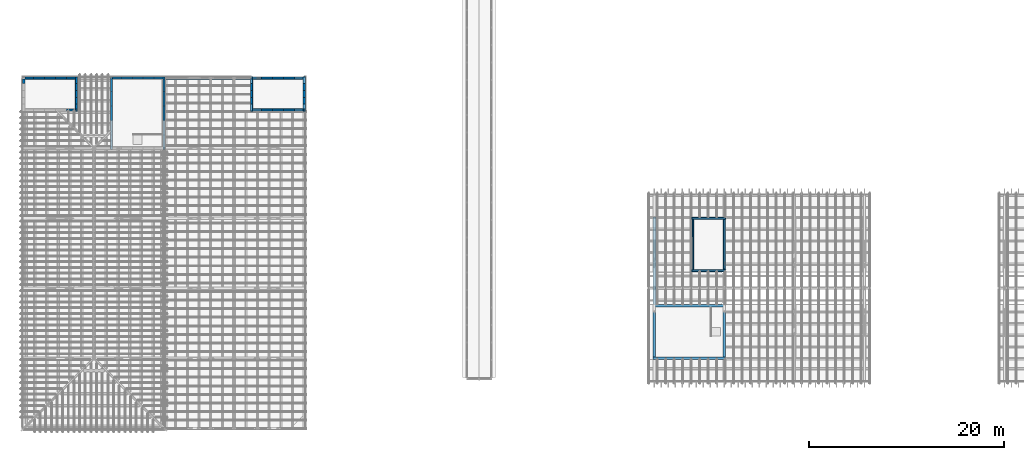
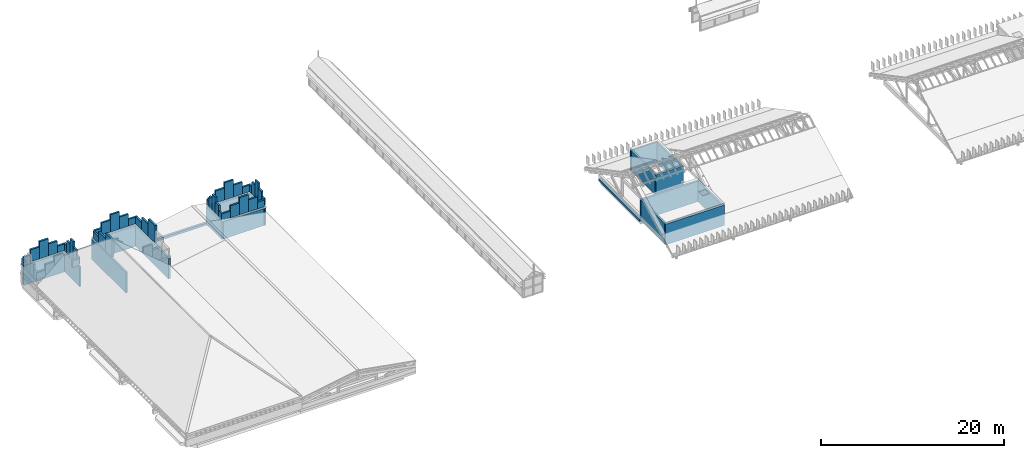
# One storey, part 17 of 28: 62 walls.
"""IFC4 building model written with IfcOpenShell, lengths in metres."""

from ifc_helpers import new_model, si_unit, direction, frame, frame_2d, origin, place, context, subcontext, project, spatial, rectangle, extrude, material, layer, layer_set, type_object, element, save


model = new_model("IFC4")

# Units and contexts
model_context = context("Model", 3, precision=1e-05, world=origin(), true_north=direction((0.0, 1.0)))
body_context = subcontext(model_context, "Body", "Model", "MODEL_VIEW")
ifc_project = project(units=[si_unit("LENGTHUNIT", "METRE"), si_unit("AREAUNIT", "SQUARE_METRE"), si_unit("VOLUMEUNIT", "CUBIC_METRE"), si_unit("PLANEANGLEUNIT", "RADIAN"), si_unit("MASSUNIT", "GRAM", prefix="KILO")], contexts=[model_context])

# Site, building, storey
site_placement = place(None, origin())
site = spatial("IfcSite", under=ifc_project, at=site_placement, CompositionType="ELEMENT")
building_placement = place(site_placement, origin())
building = spatial("IfcBuilding", under=site, at=building_placement, Name="Mazhai Court Health Centre", CompositionType="ELEMENT")
storey_placement = place(building_placement, frame((0.0, 0.0, 18.0)))
storey = spatial("IfcBuildingStorey", under=building, at=storey_placement, Name="RF", CompositionType="ELEMENT", Elevation=18.0)

# Walls
ifc_material_1 = material(Name="Clay brick masonry", Category="masonry")
ifc_layer_1 = layer(ifc_material_1, 0.22998046875)
ifc_layer_set_1 = layer_set([ifc_layer_1], Name="BRICK PARAPET 230 EI 120")
wall_type_1 = type_object("IfcWallType", Name="BRICK PARAPET 230 EI 120", PredefinedType="SOLIDWALL", material=ifc_layer_set_1)
wall_1_placement = place(storey_placement, frame((15.18994140625, 37.85498046875, 3.0), z_axis=(0.0, 0.0, 1.0), x_axis=(0.0, 1.0, 0.0)))
element("IfcWall", 1, at=wall_1_placement, inside=storey, type_object=wall_type_1, Name="PR-core-C3-head-house-slab-02", PredefinedType="SOLIDWALL", context=body_context, shape_type="SweptSolid", body=[
    extrude(rectangle(XDim=1.489990234375, YDim=0.22998046875, at=frame_2d((0.7451171875, 0.0))), origin(), (0.0, 0.0, 1.0), 2.300048828125),
])
wall_2_placement = place(storey_placement, frame((15.18994140625, 39.344970703125, 3.0), z_axis=(0.0, 0.0, 1.0), x_axis=(0.0, 1.0, 0.0)))
element("IfcWall", 2, at=wall_2_placement, inside=storey, type_object=wall_type_1, Name="PR-core-C3-head-house-slab-03", PredefinedType="SOLIDWALL", context=body_context, shape_type="SweptSolid", body=[
    extrude(rectangle(XDim=1.489990234375, YDim=0.22998046875, at=frame_2d((0.7451171875, 0.0))), origin(), (0.0, 0.0, 1.0), 1.60009765625),
])
wall_3_placement = place(storey_placement, frame((15.18994140625, 40.8349609375, 3.0), z_axis=(0.0, 0.0, 1.0), x_axis=(0.0, 1.0, 0.0)))
element("IfcWall", 3, at=wall_3_placement, inside=storey, type_object=wall_type_1, Name="PR-core-C3-head-house-slab-04", PredefinedType="SOLIDWALL", context=body_context, shape_type="SweptSolid", body=[
    extrude(rectangle(XDim=1.260009765625, YDim=0.22998046875, at=frame_2d((0.6298828125, 0.0))), origin(), (0.0, 0.0, 1.0), 0.89990234375),
])
wall_4_placement = place(storey_placement, frame((15.304931640625, 42.2099609375, 3.0), z_axis=(0.0, 0.0, 1.0), x_axis=(1.0, 0.0, 0.0)))
element("IfcWall", 4, at=wall_4_placement, inside=storey, type_object=wall_type_1, Name="PR-core-C3-head-house-slab-10", PredefinedType="SOLIDWALL", context=body_context, shape_type="SweptSolid", body=[
    extrude(rectangle(XDim=0.900146484375, YDim=0.22998046875, at=frame_2d((0.4501953125, 0.0))), origin(), (0.0, 0.0, 1.0), 0.89990234375),
])
wall_5_placement = place(storey_placement, frame((16.205078125, 42.2099609375, 3.0), z_axis=(0.0, 0.0, 1.0), x_axis=(1.0, 0.0, 0.0)))
element("IfcWall", 5, at=wall_5_placement, inside=storey, type_object=wall_type_1, Name="PR-core-C3-head-house-slab-11", PredefinedType="SOLIDWALL", context=body_context, shape_type="SweptSolid", body=[
    extrude(rectangle(XDim=1.1298828125, YDim=0.22998046875, at=frame_2d((0.56494140625, 0.0))), origin(), (0.0, 0.0, 1.0), 1.60009765625),
])
wall_6_placement = place(storey_placement, frame((17.3349609375, 42.2099609375, 3.0), z_axis=(0.0, 0.0, 1.0), x_axis=(1.0, 0.0, 0.0)))
element("IfcWall", 6, at=wall_6_placement, inside=storey, type_object=wall_type_1, Name="PR-core-C3-head-house-slab-12", PredefinedType="SOLIDWALL", context=body_context, shape_type="SweptSolid", body=[
    extrude(rectangle(XDim=1.130126953125, YDim=0.22998046875, at=frame_2d((0.56494140625, 0.0))), origin(), (0.0, 0.0, 1.0), 2.300048828125),
])
wall_7_placement = place(storey_placement, frame((18.465087890625, 42.2099609375, 3.0), z_axis=(0.0, 0.0, 1.0), x_axis=(1.0, 0.0, 0.0)))
element("IfcWall", 7, at=wall_7_placement, inside=storey, type_object=wall_type_1, Name="PR-core-C3-head-house-slab-13", PredefinedType="SOLIDWALL", context=body_context, shape_type="SweptSolid", body=[
    extrude(rectangle(XDim=1.1298828125, YDim=0.22998046875, at=frame_2d((0.56494140625, 0.0))), origin(), (0.0, 0.0, 1.0), 1.60009765625),
])
wall_8_placement = place(storey_placement, frame((19.594970703125, 42.2099609375, 3.0), z_axis=(0.0, 0.0, 1.0), x_axis=(1.0, 0.0, 0.0)))
element("IfcWall", 8, at=wall_8_placement, inside=storey, type_object=wall_type_1, Name="PR-core-C3-head-house-slab-14", PredefinedType="SOLIDWALL", context=body_context, shape_type="SweptSolid", body=[
    extrude(rectangle(XDim=1.130126953125, YDim=0.22998046875, at=frame_2d((0.56494140625, 0.0))), origin(), (0.0, 0.0, 1.0), 0.89990234375),
])
wall_9_placement = place(storey_placement, frame((20.610107421875, 42.324951171875, 3.0), z_axis=(0.0, 0.0, 1.0), x_axis=(0.0, -1.0, 0.0)))
element("IfcWall", 9, at=wall_9_placement, inside=storey, type_object=wall_type_1, Name="PR-core-C3-head-house-slab-20", PredefinedType="SOLIDWALL", context=body_context, shape_type="SweptSolid", body=[
    extrude(rectangle(XDim=1.489990234375, YDim=0.22998046875, at=frame_2d((0.7451171875, 0.0))), origin(), (0.0, 0.0, 1.0), 0.89990234375),
])
wall_10_placement = place(storey_placement, frame((20.610107421875, 40.8349609375, 3.0), z_axis=(0.0, 0.0, 1.0), x_axis=(0.0, -1.0, 0.0)))
element("IfcWall", 10, at=wall_10_placement, inside=storey, type_object=wall_type_1, Name="PR-core-C3-head-house-slab-21", PredefinedType="SOLIDWALL", context=body_context, shape_type="SweptSolid", body=[
    extrude(rectangle(XDim=1.489990234375, YDim=0.22998046875, at=frame_2d((0.7451171875, 0.0))), origin(), (0.0, 0.0, 1.0), 1.60009765625),
])
wall_11_placement = place(storey_placement, frame((20.610107421875, 39.344970703125, 3.0), z_axis=(0.0, 0.0, 1.0), x_axis=(0.0, -1.0, 0.0)))
element("IfcWall", 11, at=wall_11_placement, inside=storey, type_object=wall_type_1, Name="PR-core-C3-head-house-slab-22", PredefinedType="SOLIDWALL", context=body_context, shape_type="SweptSolid", body=[
    extrude(rectangle(XDim=1.489990234375, YDim=0.22998046875, at=frame_2d((0.7451171875, 0.0))), origin(), (0.0, 0.0, 1.0), 2.300048828125),
])
wall_12_placement = place(storey_placement, frame((6.18994140625, 41.6220703125, 2.56298828125), z_axis=(0.0, 0.0, 1.0), x_axis=(0.0, 1.0, 0.0)))
element("IfcWall", 12, at=wall_12_placement, inside=storey, type_object=wall_type_1, Name="PR-core-C3-overrun-slab-04", PredefinedType="SOLIDWALL", context=body_context, shape_type="SweptSolid", body=[
    extrude(rectangle(XDim=0.472900390625, YDim=0.22998046875, at=frame_2d((0.236328125, 0.0))), origin(), (0.0, 0.0, 1.0), 0.89990234375),
])
wall_13_placement = place(storey_placement, frame((6.304931640625, 42.2099609375, 2.56298828125), z_axis=(0.0, 0.0, 1.0), x_axis=(1.0, 0.0, 0.0)))
element("IfcWall", 13, at=wall_13_placement, inside=storey, type_object=wall_type_1, Name="PR-core-C3-overrun-slab-10", PredefinedType="SOLIDWALL", context=body_context, shape_type="SweptSolid", body=[
    extrude(rectangle(XDim=0.900146484375, YDim=0.22998046875, at=frame_2d((0.4501953125, 0.0))), origin(), (0.0, 0.0, 1.0), 0.89990234375),
])
wall_14_placement = place(storey_placement, frame((7.205078125, 42.2099609375, 2.56298828125), z_axis=(0.0, 0.0, 1.0), x_axis=(1.0, 0.0, 0.0)))
element("IfcWall", 14, at=wall_14_placement, inside=storey, type_object=wall_type_1, Name="PR-core-C3-overrun-slab-11", PredefinedType="SOLIDWALL", context=body_context, shape_type="SweptSolid", body=[
    extrude(rectangle(XDim=1.1298828125, YDim=0.22998046875, at=frame_2d((0.56494140625, 0.0))), origin(), (0.0, 0.0, 1.0), 1.60009765625),
])
wall_15_placement = place(storey_placement, frame((8.3349609375, 42.2099609375, 2.56298828125), z_axis=(0.0, 0.0, 1.0), x_axis=(1.0, 0.0, 0.0)))
element("IfcWall", 15, at=wall_15_placement, inside=storey, type_object=wall_type_1, Name="PR-core-C3-overrun-slab-12", PredefinedType="SOLIDWALL", context=body_context, shape_type="SweptSolid", body=[
    extrude(rectangle(XDim=1.130126953125, YDim=0.22998046875, at=frame_2d((0.56494140625, 0.0))), origin(), (0.0, 0.0, 1.0), 2.300048828125),
])
wall_16_placement = place(storey_placement, frame((9.465087890625, 42.2099609375, 2.56298828125), z_axis=(0.0, 0.0, 1.0), x_axis=(1.0, 0.0, 0.0)))
element("IfcWall", 16, at=wall_16_placement, inside=storey, type_object=wall_type_1, Name="PR-core-C3-overrun-slab-13", PredefinedType="SOLIDWALL", context=body_context, shape_type="SweptSolid", body=[
    extrude(rectangle(XDim=1.1298828125, YDim=0.22998046875, at=frame_2d((0.56494140625, 0.0))), origin(), (0.0, 0.0, 1.0), 1.60009765625),
])
wall_17_placement = place(storey_placement, frame((10.594970703125, 42.2099609375, 2.56298828125), z_axis=(0.0, 0.0, 1.0), x_axis=(1.0, 0.0, 0.0)))
element("IfcWall", 17, at=wall_17_placement, inside=storey, type_object=wall_type_1, Name="PR-core-C3-overrun-slab-14", PredefinedType="SOLIDWALL", context=body_context, shape_type="SweptSolid", body=[
    extrude(rectangle(XDim=1.130126953125, YDim=0.22998046875, at=frame_2d((0.56494140625, 0.0))), origin(), (0.0, 0.0, 1.0), 0.89990234375),
])
wall_18_placement = place(storey_placement, frame((11.610107421875, 42.324951171875, 2.56298828125), z_axis=(0.0, 0.0, 1.0), x_axis=(0.0, -1.0, 0.0)))
element("IfcWall", 18, at=wall_18_placement, inside=storey, type_object=wall_type_1, Name="PR-core-C3-overrun-slab-20", PredefinedType="SOLIDWALL", context=body_context, shape_type="SweptSolid", body=[
    extrude(rectangle(XDim=0.702880859375, YDim=0.22998046875, at=frame_2d((0.3515625, 0.0))), origin(), (0.0, 0.0, 1.0), 0.89990234375),
])
wall_19_placement = place(storey_placement, frame((11.610107421875, 41.6220703125, 2.56298828125), z_axis=(0.0, 0.0, 1.0), x_axis=(0.0, -1.0, 0.0)))
element("IfcWall", 19, at=wall_19_placement, inside=storey, type_object=wall_type_1, Name="PR-core-C3-overrun-slab-21", PredefinedType="SOLIDWALL", context=body_context, shape_type="SweptSolid", body=[
    extrude(rectangle(XDim=0.703125, YDim=0.22998046875, at=frame_2d((0.3515625, 0.0))), origin(), (0.0, 0.0, 1.0), 1.60009765625),
])
wall_20_placement = place(storey_placement, frame((11.610107421875, 40.9189453125, 2.56298828125), z_axis=(0.0, 0.0, 1.0), x_axis=(0.0, -1.0, 0.0)))
element("IfcWall", 20, at=wall_20_placement, inside=storey, type_object=wall_type_1, Name="PR-core-C3-overrun-slab-22", PredefinedType="SOLIDWALL", context=body_context, shape_type="SweptSolid", body=[
    extrude(rectangle(XDim=0.702880859375, YDim=0.22998046875, at=frame_2d((0.3515625, 0.0))), origin(), (0.0, 0.0, 1.0), 2.300048828125),
])
wall_21_placement = place(storey_placement, frame((11.610107421875, 40.216064453125, 2.56298828125), z_axis=(0.0, 0.0, 1.0), x_axis=(0.0, -1.0, 0.0)))
element("IfcWall", 21, at=wall_21_placement, inside=storey, type_object=wall_type_1, Name="PR-core-C3-overrun-slab-23", PredefinedType="SOLIDWALL", context=body_context, shape_type="SweptSolid", body=[
    extrude(rectangle(XDim=0.703125, YDim=0.22998046875, at=frame_2d((0.3515625, 0.0))), origin(), (0.0, 0.0, 1.0), 1.60009765625),
])
wall_22_placement = place(storey_placement, frame((11.610107421875, 39.512939453125, 2.56298828125), z_axis=(0.0, 0.0, 1.0), x_axis=(0.0, -1.0, 0.0)))
element("IfcWall", 22, at=wall_22_placement, inside=storey, type_object=wall_type_1, Name="PR-core-C3-overrun-slab-24", PredefinedType="SOLIDWALL", context=body_context, shape_type="SweptSolid", body=[
    extrude(rectangle(XDim=0.472900390625, YDim=0.22998046875, at=frame_2d((0.236328125, 0.0))), origin(), (0.0, 0.0, 1.0), 0.89990234375),
])
wall_23_placement = place(storey_placement, frame((11.4951171875, 38.925048828125, 2.56298828125), z_axis=(0.0, 0.0, 1.0), x_axis=(-1.0, 0.0, 0.0)))
element("IfcWall", 23, at=wall_23_placement, inside=storey, type_object=wall_type_1, Name="PR-core-C3-overrun-slab-30", PredefinedType="SOLIDWALL", context=body_context, shape_type="SweptSolid", body=[
    extrude(rectangle(XDim=0.900146484375, YDim=0.22998046875, at=frame_2d((0.4501953125, 0.0))), origin(), (0.0, 0.0, 1.0), 0.89990234375),
])
wall_24_placement = place(storey_placement, frame((29.590087890625, 38.81005859375, 2.241943359375), z_axis=(0.0, 0.0, 1.0), x_axis=(0.0, 1.0, 0.0)))
element("IfcWall", 24, at=wall_24_placement, inside=storey, type_object=wall_type_1, Name="PR-core-C5-overrun-slab-00", PredefinedType="SOLIDWALL", context=body_context, shape_type="SweptSolid", body=[
    extrude(rectangle(XDim=0.702880859375, YDim=0.22998046875, at=frame_2d((0.3515625, 0.0))), origin(), (0.0, 0.0, 1.0), 0.900146484375),
])
wall_25_placement = place(storey_placement, frame((29.590087890625, 39.512939453125, 2.241943359375), z_axis=(0.0, 0.0, 1.0), x_axis=(0.0, 1.0, 0.0)))
element("IfcWall", 25, at=wall_25_placement, inside=storey, type_object=wall_type_1, Name="PR-core-C5-overrun-slab-01", PredefinedType="SOLIDWALL", context=body_context, shape_type="SweptSolid", body=[
    extrude(rectangle(XDim=0.703125, YDim=0.22998046875, at=frame_2d((0.3515625, 0.0))), origin(), (0.0, 0.0, 1.0), 1.60009765625),
])
wall_26_placement = place(storey_placement, frame((29.590087890625, 40.216064453125, 2.241943359375), z_axis=(0.0, 0.0, 1.0), x_axis=(0.0, 1.0, 0.0)))
element("IfcWall", 26, at=wall_26_placement, inside=storey, type_object=wall_type_1, Name="PR-core-C5-overrun-slab-02", PredefinedType="SOLIDWALL", context=body_context, shape_type="SweptSolid", body=[
    extrude(rectangle(XDim=0.702880859375, YDim=0.22998046875, at=frame_2d((0.3515625, 0.0))), origin(), (0.0, 0.0, 1.0), 2.300048828125),
])
wall_27_placement = place(storey_placement, frame((29.590087890625, 40.9189453125, 2.241943359375), z_axis=(0.0, 0.0, 1.0), x_axis=(0.0, 1.0, 0.0)))
element("IfcWall", 27, at=wall_27_placement, inside=storey, type_object=wall_type_1, Name="PR-core-C5-overrun-slab-03", PredefinedType="SOLIDWALL", context=body_context, shape_type="SweptSolid", body=[
    extrude(rectangle(XDim=0.703125, YDim=0.22998046875, at=frame_2d((0.3515625, 0.0))), origin(), (0.0, 0.0, 1.0), 1.60009765625),
])
wall_28_placement = place(storey_placement, frame((29.590087890625, 41.6220703125, 2.241943359375), z_axis=(0.0, 0.0, 1.0), x_axis=(0.0, 1.0, 0.0)))
element("IfcWall", 28, at=wall_28_placement, inside=storey, type_object=wall_type_1, Name="PR-core-C5-overrun-slab-04", PredefinedType="SOLIDWALL", context=body_context, shape_type="SweptSolid", body=[
    extrude(rectangle(XDim=0.472900390625, YDim=0.22998046875, at=frame_2d((0.236328125, 0.0))), origin(), (0.0, 0.0, 1.0), 0.900146484375),
])
wall_29_placement = place(storey_placement, frame((29.705078125, 42.2099609375, 2.241943359375), z_axis=(0.0, 0.0, 1.0), x_axis=(1.0, 0.0, 0.0)))
element("IfcWall", 29, at=wall_29_placement, inside=storey, type_object=wall_type_1, Name="PR-core-C5-overrun-slab-10", PredefinedType="SOLIDWALL", context=body_context, shape_type="SweptSolid", body=[
    extrude(rectangle(XDim=0.89990234375, YDim=0.22998046875, at=frame_2d((0.449951171875, 0.0))), origin(), (0.0, 0.0, 1.0), 0.900146484375),
])
wall_30_placement = place(storey_placement, frame((30.60498046875, 42.2099609375, 2.241943359375), z_axis=(0.0, 0.0, 1.0), x_axis=(1.0, 0.0, 0.0)))
element("IfcWall", 30, at=wall_30_placement, inside=storey, type_object=wall_type_1, Name="PR-core-C5-overrun-slab-11", PredefinedType="SOLIDWALL", context=body_context, shape_type="SweptSolid", body=[
    extrude(rectangle(XDim=1.130126953125, YDim=0.22998046875, at=frame_2d((0.56494140625, 0.0))), origin(), (0.0, 0.0, 1.0), 1.60009765625),
])
wall_31_placement = place(storey_placement, frame((31.735107421875, 42.2099609375, 2.241943359375), z_axis=(0.0, 0.0, 1.0), x_axis=(1.0, 0.0, 0.0)))
element("IfcWall", 31, at=wall_31_placement, inside=storey, type_object=wall_type_1, Name="PR-core-C5-overrun-slab-12", PredefinedType="SOLIDWALL", context=body_context, shape_type="SweptSolid", body=[
    extrude(rectangle(XDim=1.1298828125, YDim=0.22998046875, at=frame_2d((0.56494140625, 0.0))), origin(), (0.0, 0.0, 1.0), 2.300048828125),
])
wall_32_placement = place(storey_placement, frame((32.864990234375, 42.2099609375, 2.241943359375), z_axis=(0.0, 0.0, 1.0), x_axis=(1.0, 0.0, 0.0)))
element("IfcWall", 32, at=wall_32_placement, inside=storey, type_object=wall_type_1, Name="PR-core-C5-overrun-slab-13", PredefinedType="SOLIDWALL", context=body_context, shape_type="SweptSolid", body=[
    extrude(rectangle(XDim=1.130126953125, YDim=0.22998046875, at=frame_2d((0.56494140625, 0.0))), origin(), (0.0, 0.0, 1.0), 1.60009765625),
])
wall_33_placement = place(storey_placement, frame((33.9951171875, 42.2099609375, 2.241943359375), z_axis=(0.0, 0.0, 1.0), x_axis=(1.0, 0.0, 0.0)))
element("IfcWall", 33, at=wall_33_placement, inside=storey, type_object=wall_type_1, Name="PR-core-C5-overrun-slab-14", PredefinedType="SOLIDWALL", context=body_context, shape_type="SweptSolid", body=[
    extrude(rectangle(XDim=1.1298828125, YDim=0.22998046875, at=frame_2d((0.56494140625, 0.0))), origin(), (0.0, 0.0, 1.0), 0.900146484375),
])
wall_34_placement = place(storey_placement, frame((35.010009765625, 42.324951171875, 2.241943359375), z_axis=(0.0, 0.0, 1.0), x_axis=(0.0, -1.0, 0.0)))
element("IfcWall", 34, at=wall_34_placement, inside=storey, type_object=wall_type_1, Name="PR-core-C5-overrun-slab-20", PredefinedType="SOLIDWALL", context=body_context, shape_type="SweptSolid", body=[
    extrude(rectangle(XDim=0.702880859375, YDim=0.22998046875, at=frame_2d((0.3515625, 0.0))), origin(), (0.0, 0.0, 1.0), 0.900146484375),
])
wall_35_placement = place(storey_placement, frame((35.010009765625, 41.6220703125, 2.241943359375), z_axis=(0.0, 0.0, 1.0), x_axis=(0.0, -1.0, 0.0)))
element("IfcWall", 35, at=wall_35_placement, inside=storey, type_object=wall_type_1, Name="PR-core-C5-overrun-slab-21", PredefinedType="SOLIDWALL", context=body_context, shape_type="SweptSolid", body=[
    extrude(rectangle(XDim=0.703125, YDim=0.22998046875, at=frame_2d((0.3515625, 0.0))), origin(), (0.0, 0.0, 1.0), 1.60009765625),
])
wall_36_placement = place(storey_placement, frame((35.010009765625, 40.9189453125, 2.241943359375), z_axis=(0.0, 0.0, 1.0), x_axis=(0.0, -1.0, 0.0)))
element("IfcWall", 36, at=wall_36_placement, inside=storey, type_object=wall_type_1, Name="PR-core-C5-overrun-slab-22", PredefinedType="SOLIDWALL", context=body_context, shape_type="SweptSolid", body=[
    extrude(rectangle(XDim=0.702880859375, YDim=0.22998046875, at=frame_2d((0.3515625, 0.0))), origin(), (0.0, 0.0, 1.0), 2.300048828125),
])
wall_37_placement = place(storey_placement, frame((35.010009765625, 40.216064453125, 2.241943359375), z_axis=(0.0, 0.0, 1.0), x_axis=(0.0, -1.0, 0.0)))
element("IfcWall", 37, at=wall_37_placement, inside=storey, type_object=wall_type_1, Name="PR-core-C5-overrun-slab-23", PredefinedType="SOLIDWALL", context=body_context, shape_type="SweptSolid", body=[
    extrude(rectangle(XDim=0.703125, YDim=0.22998046875, at=frame_2d((0.3515625, 0.0))), origin(), (0.0, 0.0, 1.0), 1.60009765625),
])
wall_38_placement = place(storey_placement, frame((35.010009765625, 39.512939453125, 2.241943359375), z_axis=(0.0, 0.0, 1.0), x_axis=(0.0, -1.0, 0.0)))
element("IfcWall", 38, at=wall_38_placement, inside=storey, type_object=wall_type_1, Name="PR-core-C5-overrun-slab-24", PredefinedType="SOLIDWALL", context=body_context, shape_type="SweptSolid", body=[
    extrude(rectangle(XDim=0.472900390625, YDim=0.22998046875, at=frame_2d((0.236328125, 0.0))), origin(), (0.0, 0.0, 1.0), 0.900146484375),
])
wall_39_placement = place(storey_placement, frame((34.89501953125, 38.925048828125, 2.241943359375), z_axis=(0.0, 0.0, 1.0), x_axis=(-1.0, 0.0, 0.0)))
element("IfcWall", 39, at=wall_39_placement, inside=storey, type_object=wall_type_1, Name="PR-core-C5-overrun-slab-30", PredefinedType="SOLIDWALL", context=body_context, shape_type="SweptSolid", body=[
    extrude(rectangle(XDim=0.89990234375, YDim=0.22998046875, at=frame_2d((0.449951171875, 0.0))), origin(), (0.0, 0.0, 1.0), 0.900146484375),
])
wall_40_placement = place(storey_placement, frame((33.9951171875, 38.925048828125, 2.241943359375), z_axis=(0.0, 0.0, 1.0), x_axis=(-1.0, 0.0, 0.0)))
element("IfcWall", 40, at=wall_40_placement, inside=storey, type_object=wall_type_1, Name="PR-core-C5-overrun-slab-31", PredefinedType="SOLIDWALL", context=body_context, shape_type="SweptSolid", body=[
    extrude(rectangle(XDim=1.130126953125, YDim=0.22998046875, at=frame_2d((0.56494140625, 0.0))), origin(), (0.0, 0.0, 1.0), 1.60009765625),
])
wall_41_placement = place(storey_placement, frame((32.864990234375, 38.925048828125, 2.241943359375), z_axis=(0.0, 0.0, 1.0), x_axis=(-1.0, 0.0, 0.0)))
element("IfcWall", 41, at=wall_41_placement, inside=storey, type_object=wall_type_1, Name="PR-core-C5-overrun-slab-32", PredefinedType="SOLIDWALL", context=body_context, shape_type="SweptSolid", body=[
    extrude(rectangle(XDim=1.1298828125, YDim=0.22998046875, at=frame_2d((0.56494140625, 0.0))), origin(), (0.0, 0.0, 1.0), 2.300048828125),
])
wall_42_placement = place(storey_placement, frame((31.735107421875, 38.925048828125, 2.241943359375), z_axis=(0.0, 0.0, 1.0), x_axis=(-1.0, 0.0, 0.0)))
element("IfcWall", 42, at=wall_42_placement, inside=storey, type_object=wall_type_1, Name="PR-core-C5-overrun-slab-33", PredefinedType="SOLIDWALL", context=body_context, shape_type="SweptSolid", body=[
    extrude(rectangle(XDim=1.130126953125, YDim=0.22998046875, at=frame_2d((0.56494140625, 0.0))), origin(), (0.0, 0.0, 1.0), 1.60009765625),
])
wall_43_placement = place(storey_placement, frame((30.60498046875, 38.925048828125, 2.241943359375), z_axis=(0.0, 0.0, 1.0), x_axis=(-1.0, 0.0, 0.0)))
element("IfcWall", 43, at=wall_43_placement, inside=storey, type_object=wall_type_1, Name="PR-core-C5-overrun-slab-34", PredefinedType="SOLIDWALL", context=body_context, shape_type="SweptSolid", body=[
    extrude(rectangle(XDim=1.1298828125, YDim=0.22998046875, at=frame_2d((0.56494140625, 0.0))), origin(), (0.0, 0.0, 1.0), 0.900146484375),
])
ifc_material_2 = material(Name="Concrete M40", Category="concrete")
ifc_layer_2 = layer(ifc_material_2, 0.25)
ifc_layer_set_2 = layer_set([ifc_layer_2], Name="RC HEAD-HOUSE WALL 250 M40")
wall_type_2 = type_object("IfcWallType", Name="RC HEAD-HOUSE WALL 250 M40", PredefinedType="SHEAR", material=ifc_layer_set_2)
for number, where, z_axis, x_axis, name in (
    (44, (15.199951171875, 34.875, 0.0), (0.0, 0.0, 1.0), (0.0, 1.0, 0.0), "core-C3-head-house-w0"),
    (45, (20.60009765625, 34.875, 0.0), (0.0, 0.0, 1.0), (0.0, 1.0, 0.0), "core-C3-head-house-w1"),
):
    element("IfcWall", number, at=place(storey_placement, frame(where, z_axis=z_axis, x_axis=x_axis)), inside=storey, type_object=wall_type_2, Name=name, PredefinedType="SHEAR", context=body_context, shape_type="SweptSolid", body=[
        extrude(rectangle(XDim=7.449951171875, YDim=0.25, at=frame_2d((3.72509765625, 0.0))), origin(), (0.0, 0.0, 1.0), 2.75),
    ])
wall_44_placement = place(storey_placement, frame((15.324951171875, 42.199951171875, 0.0), z_axis=(0.0, 0.0, 1.0), x_axis=(1.0, 0.0, 0.0)))
element("IfcWall", 46, at=wall_44_placement, inside=storey, type_object=wall_type_2, Name="core-C3-head-house-w3", PredefinedType="SHEAR", context=body_context, shape_type="SweptSolid", body=[
    extrude(rectangle(XDim=5.150146484375, YDim=0.25, at=frame_2d((2.5751953125, 0.0))), origin(), (0.0, 0.0, 1.0), 2.75),
])
for number, where, z_axis, x_axis, name in (
    (47, (70.875, 13.39990234375, 0.0), (0.0, 0.0, 1.0), (1.0, 0.0, 0.0), "core-C6-head-house-w0"),
    (48, (70.875, 18.800048828125, 0.0), (0.0, 0.0, 1.0), (1.0, 0.0, 0.0), "core-C6-head-house-w1"),
):
    element("IfcWall", number, at=place(storey_placement, frame(where, z_axis=z_axis, x_axis=x_axis)), inside=storey, type_object=wall_type_2, Name=name, PredefinedType="SHEAR", context=body_context, shape_type="SweptSolid", body=[
        extrude(rectangle(XDim=7.449951171875, YDim=0.25, at=frame_2d((3.72509765625, 0.0))), origin(), (0.0, 0.0, 1.0), 2.75),
    ])
for number, where, z_axis, x_axis, name in (
    (49, (71.0, 13.52490234375, 0.0), (0.0, 0.0, 1.0), (0.0, 1.0, 0.0), "core-C6-head-house-w2"),
    (50, (78.199951171875, 13.52490234375, 0.0), (0.0, 0.0, 1.0), (0.0, 1.0, 0.0), "core-C6-head-house-w3"),
):
    element("IfcWall", number, at=place(storey_placement, frame(where, z_axis=z_axis, x_axis=x_axis)), inside=storey, type_object=wall_type_2, Name=name, PredefinedType="SHEAR", context=body_context, shape_type="SweptSolid", body=[
        extrude(rectangle(XDim=5.150146484375, YDim=0.25, at=frame_2d((2.5751953125, 0.0))), origin(), (0.0, 0.0, 1.0), 2.75),
    ])
ifc_material_3 = material(Name="Concrete M40", Category="concrete")
ifc_layer_3 = layer(ifc_material_3, 0.199951171875)
ifc_layer_set_3 = layer_set([ifc_layer_3], Name="RC SHAFT WALL 200 M40")
wall_type_3 = type_object("IfcWallType", Name="RC SHAFT WALL 200 M40", PredefinedType="SHEAR", material=ifc_layer_set_3)
wall_45_placement = place(storey_placement, frame((11.60009765625, 38.81005859375, -0.300048828125), z_axis=(0.0, 0.0, 1.0), x_axis=(0.0, 1.0, 0.0)))
element("IfcWall", 51, at=wall_45_placement, inside=storey, type_object=wall_type_3, Name="core-C3-overrun-w1", PredefinedType="SHEAR", context=body_context, shape_type="SweptSolid", body=[
    extrude(rectangle(XDim=3.514892578125, YDim=0.199951171875, at=frame_2d((1.75732421875, 0.0))), origin(), (0.0, 0.0, 1.0), 2.613037109375),
])
wall_46_placement = place(storey_placement, frame((6.324951171875, 42.199951171875, -0.300048828125), z_axis=(0.0, 0.0, 1.0), x_axis=(1.0, 0.0, 0.0)))
element("IfcWall", 52, at=wall_46_placement, inside=storey, type_object=wall_type_3, Name="core-C3-overrun-w3", PredefinedType="SHEAR", context=body_context, shape_type="SweptSolid", body=[
    extrude(rectangle(XDim=5.150146484375, YDim=0.199951171875, at=frame_2d((2.5751953125, 0.0))), origin(), (0.0, 0.0, 1.0), 2.613037109375),
])
for number, where, z_axis, x_axis, name in (
    (53, (29.60009765625, 38.81005859375, -0.300048828125), (0.0, 0.0, 1.0), (0.0, 1.0, 0.0), "core-C5-overrun-w0"),
    (54, (35.0, 38.81005859375, -0.300048828125), (0.0, 0.0, 1.0), (0.0, 1.0, 0.0), "core-C5-overrun-w1"),
):
    element("IfcWall", number, at=place(storey_placement, frame(where, z_axis=z_axis, x_axis=x_axis)), inside=storey, type_object=wall_type_3, Name=name, PredefinedType="SHEAR", context=body_context, shape_type="SweptSolid", body=[
        extrude(rectangle(XDim=3.514892578125, YDim=0.199951171875, at=frame_2d((1.75732421875, 0.0))), origin(), (0.0, 0.0, 1.0), 2.2919921875),
    ])
for number, where, z_axis, x_axis, name in (
    (55, (29.72509765625, 38.93505859375, -0.300048828125), (0.0, 0.0, 1.0), (1.0, 0.0, 0.0), "core-C5-overrun-w2"),
    (56, (29.72509765625, 42.199951171875, -0.300048828125), (0.0, 0.0, 1.0), (1.0, 0.0, 0.0), "core-C5-overrun-w3"),
):
    element("IfcWall", number, at=place(storey_placement, frame(where, z_axis=z_axis, x_axis=x_axis)), inside=storey, type_object=wall_type_3, Name=name, PredefinedType="SHEAR", context=body_context, shape_type="SweptSolid", body=[
        extrude(rectangle(XDim=5.14990234375, YDim=0.199951171875, at=frame_2d((2.574951171875, 0.0))), origin(), (0.0, 0.0, 1.0), 2.2919921875),
    ])
for number, where, z_axis, x_axis, name in (
    (57, (74.85009765625, 22.39990234375, -0.300048828125), (0.0, 0.0, 1.0), (1.0, 0.0, 0.0), "core-C6-overrun-w0"),
    (58, (74.85009765625, 27.800048828125, -0.300048828125), (0.0, 0.0, 1.0), (1.0, 0.0, 0.0), "core-C6-overrun-w1"),
):
    element("IfcWall", number, at=place(storey_placement, frame(where, z_axis=z_axis, x_axis=x_axis)), inside=storey, type_object=wall_type_3, Name=name, PredefinedType="SHEAR", context=body_context, shape_type="SweptSolid", body=[
        extrude(rectangle(XDim=3.474853515625, YDim=0.199951171875, at=frame_2d((1.7373046875, 0.0))), origin(), (0.0, 0.0, 1.0), 2.799072265625),
    ])
for number, where, z_axis, x_axis, name in (
    (59, (74.97509765625, 22.52490234375, -0.300048828125), (0.0, 0.0, 1.0), (0.0, 1.0, 0.0), "core-C6-overrun-w2"),
    (60, (78.199951171875, 22.52490234375, -0.300048828125), (0.0, 0.0, 1.0), (0.0, 1.0, 0.0), "core-C6-overrun-w3"),
):
    element("IfcWall", number, at=place(storey_placement, frame(where, z_axis=z_axis, x_axis=x_axis)), inside=storey, type_object=wall_type_3, Name=name, PredefinedType="SHEAR", context=body_context, shape_type="SweptSolid", body=[
        extrude(rectangle(XDim=5.150146484375, YDim=0.199951171875, at=frame_2d((2.5751953125, 0.0))), origin(), (0.0, 0.0, 1.0), 2.799072265625),
    ])
ifc_material_4 = material(Name="Concrete M40", Category="concrete")
ifc_layer_4 = layer(ifc_material_4, 0.300048828125)
ifc_layer_set_4 = layer_set([ifc_layer_4], Name="RC UPSTAND WALL 300 M40")
wall_type_4 = type_object("IfcWallType", Name="RC UPSTAND WALL 300 M40", PredefinedType="SHEAR", material=ifc_layer_set_4)
wall_47_placement = place(storey_placement, frame((29.455078125, 42.199951171875, -0.300048828125), z_axis=(0.0, 0.0, 1.0), x_axis=(-1.0, 0.0, 0.0)))
element("IfcWall", 61, at=wall_47_placement, inside=storey, type_object=wall_type_4, Name="Truss upstand TV5", PredefinedType="SHEAR", context=body_context, shape_type="SweptSolid", body=[
    extrude(rectangle(XDim=8.7099609375, YDim=0.300048828125, at=frame_2d((4.35498046875, 0.0))), origin(), (0.0, 0.0, 1.0), 0.300048828125),
])
wall_48_placement = place(storey_placement, frame((71.0, 18.945068359375, -0.300048828125), z_axis=(0.0, 0.0, 1.0), x_axis=(0.0, 1.0, 0.0)))
element("IfcWall", 62, at=wall_48_placement, inside=storey, type_object=wall_type_4, Name="Truss upstand TV4W", PredefinedType="SHEAR", context=body_context, shape_type="SweptSolid", body=[
    extrude(rectangle(XDim=8.974853515625, YDim=0.300048828125, at=frame_2d((4.4873046875, 0.0))), origin(), (0.0, 0.0, 1.0), 0.300048828125),
])

save(model, "model.ifc")
